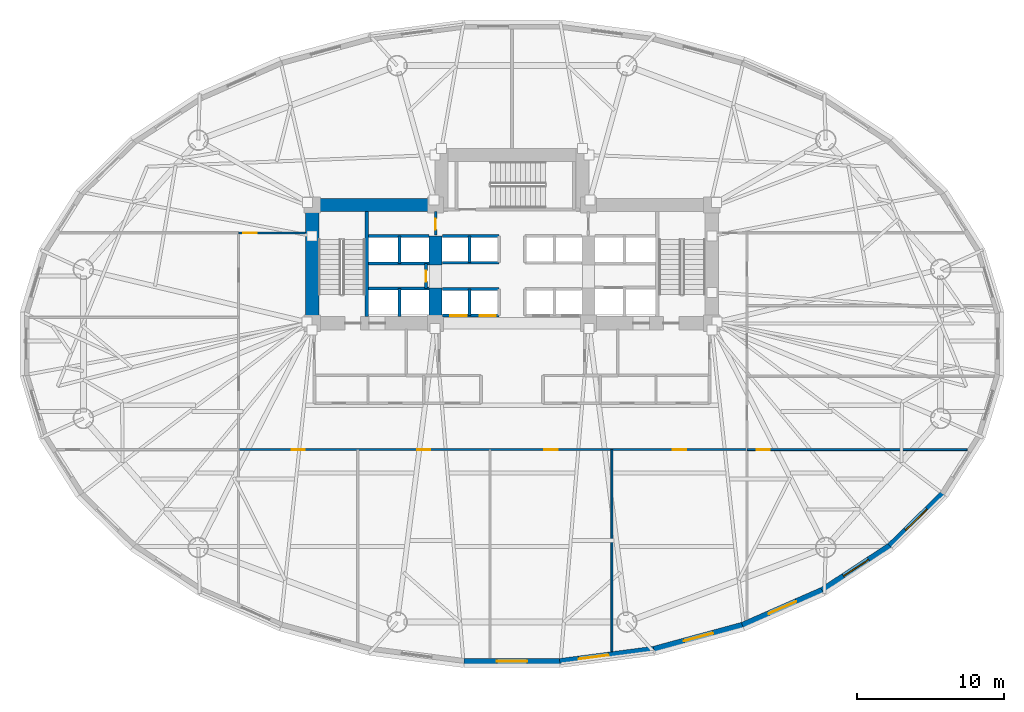
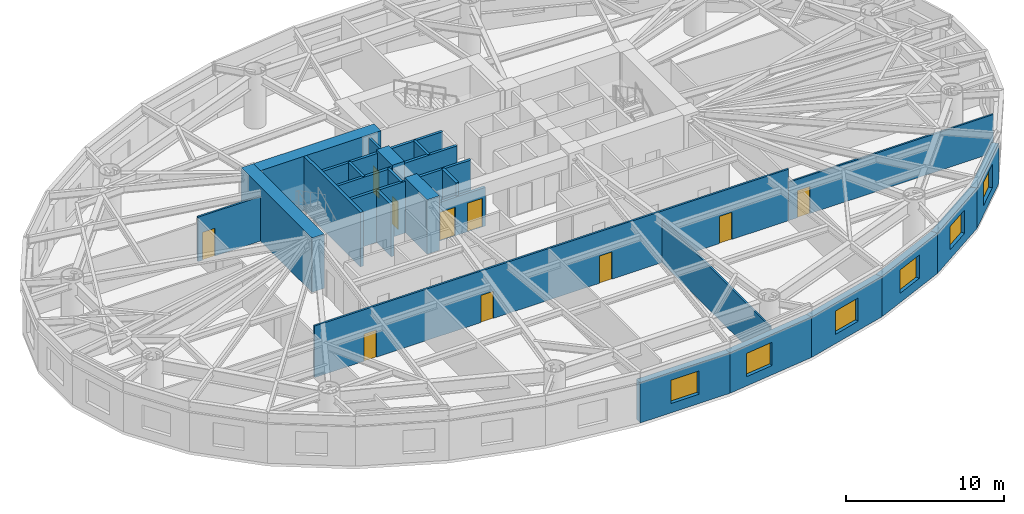
# One storey, part 6 of 14: 28 walls, 10 doors, 6 windows, 16 openings.
"""IFC4 building model written with IfcOpenShell, lengths in metres."""

from ifc_helpers import new_model, si_unit, direction, frame, frame_2d, origin, place, context, subcontext, project, spatial, rectangle, extrude, material, layer, layer_set, type_object, element, fill, save


model = new_model("IFC4")

# Units and contexts
model_context = context("Model", 3, precision=1e-05, world=origin(), true_north=direction((0.0, 1.0)))
body_context = subcontext(model_context, "Body", "Model", "MODEL_VIEW")
ifc_project = project(units=[si_unit("LENGTHUNIT", "METRE"), si_unit("AREAUNIT", "SQUARE_METRE"), si_unit("VOLUMEUNIT", "CUBIC_METRE"), si_unit("PLANEANGLEUNIT", "RADIAN"), si_unit("MASSUNIT", "GRAM", prefix="KILO")], contexts=[model_context])

# Site, building, storey
site_placement = place(None, origin())
site = spatial("IfcSite", under=ifc_project, at=site_placement, CompositionType="ELEMENT")
building_placement = place(site_placement, origin())
building = spatial("IfcBuilding", under=site, at=building_placement, Name="Keldmark Tower", CompositionType="ELEMENT")
storey_placement = place(building_placement, frame((0.0, 0.0, 14.39990234375)))
storey = spatial("IfcBuildingStorey", under=building, at=storey_placement, Name="L03", CompositionType="ELEMENT", Elevation=14.39990234375)

# Wall, openings, doors
ifc_material_1 = material(Name="Acoustic Double-Layer Gypsum Corridor Partition", Category="gypsum")
ifc_layer_1 = layer(ifc_material_1, 0.139892578125)
ifc_layer_set_1 = layer_set([ifc_layer_1], Name="Acoustic Double-Layer Gypsum Corridor Partition")
wall_type_1 = type_object("IfcWallType", Name="Acoustic Corridor Partition 140 mm", PredefinedType="PARTITIONING", material=ifc_layer_set_1)
wall_1_placement = place(storey_placement, frame((-18.60009765625, -7.199951171875, 0.0), z_axis=(0.0, 0.0, 1.0), x_axis=(1.0, 0.0, 0.0)))
wall_1 = element("IfcWall", 1, at=wall_1_placement, inside=storey, type_object=wall_type_1, Name="L03 Acoustic Corridor Partition 140 mm COR-S", PredefinedType="PARTITIONING", context=body_context, shape_type="SweptSolid", body=[
    extrude(rectangle(XDim=34.60009765625, YDim=0.139892578125, at=frame_2d((17.300048828125, 0.0))), origin(), (0.0, 0.0, 1.0), 3.97998046875),
])
opening_1_placement = place(wall_1_placement, frame((3.60009765625, 0.0, 0.0)))
opening_1 = element("IfcOpeningElement", 2, at=opening_1_placement, cuts=wall_1, Name="Opening D-IN090", PredefinedType="OPENING", context=body_context, shape_type="SweptSolid", body=[
    extrude(rectangle(XDim=0.89990234375, YDim=2.10009765625, at=frame_2d((0.449951171875, 1.050048828125))), frame((0.0, 0.079833984375, 0.0), z_axis=(0.0, -1.0, 0.0), x_axis=(1.0, 0.0, 0.0)), (0.0, 0.0, 1.0), 0.159912109375),
])
opening_2_placement = place(wall_1_placement, frame((12.14990234375, 0.0, 0.0)))
opening_2 = element("IfcOpeningElement", 3, at=opening_2_placement, cuts=wall_1, Name="Opening D-IN090", PredefinedType="OPENING", context=body_context, shape_type="SweptSolid", body=[
    extrude(rectangle(XDim=0.89990234375, YDim=2.10009765625, at=frame_2d((0.449951171875, 1.050048828125))), frame((0.0, 0.079833984375, 0.0), z_axis=(0.0, -1.0, 0.0), x_axis=(1.0, 0.0, 0.0)), (0.0, 0.0, 1.0), 0.159912109375),
])
opening_3_placement = place(wall_1_placement, frame((20.800048828125, 0.0, 0.0)))
opening_3 = element("IfcOpeningElement", 4, at=opening_3_placement, cuts=wall_1, Name="Opening D-IN090", PredefinedType="OPENING", context=body_context, shape_type="SweptSolid", body=[
    extrude(rectangle(XDim=0.89990234375, YDim=2.10009765625, at=frame_2d((0.449951171875, 1.050048828125))), frame((0.0, 0.079833984375, 0.0), z_axis=(0.0, -1.0, 0.0), x_axis=(1.0, 0.0, 0.0)), (0.0, 0.0, 1.0), 0.159912109375),
])
opening_4_placement = place(wall_1_placement, frame((29.550048828125, 0.0, 0.0)))
opening_4 = element("IfcOpeningElement", 5, at=opening_4_placement, cuts=wall_1, Name="Opening D-IN090", PredefinedType="OPENING", context=body_context, shape_type="SweptSolid", body=[
    extrude(rectangle(XDim=0.89990234375, YDim=2.10009765625, at=frame_2d((0.449951171875, 1.050048828125))), frame((0.0, 0.079833984375, 0.0), z_axis=(0.0, -1.0, 0.0), x_axis=(1.0, 0.0, 0.0)), (0.0, 0.0, 1.0), 0.159912109375),
])
ifc_material_2 = material(Name="Stained American White Oak Veneer", Category="wood")
door_type_1 = type_object("IfcDoorType", Name="Interior Door 900x2100", OperationType="NOTDEFINED", PredefinedType="DOOR", material=ifc_material_2)
door_1_placement = place(opening_1_placement, origin())
door_1 = element("IfcDoor", 6, at=door_1_placement, inside=storey, type_object=door_type_1, Name="L03 Interior Door 900x2100 D-SR-1-L03", OperationType="SINGLE_SWING_LEFT", OverallHeight=2.10009765625, OverallWidth=0.89990234375, PredefinedType="DOOR", context=body_context, shape_type="SweptSolid", body=[
    extrude(rectangle(XDim=0.89990234375, YDim=2.10009765625, at=frame_2d((0.449951171875, 1.050048828125))), frame((0.0, 0.02490234375, 0.0), z_axis=(0.0, -1.0, 0.0), x_axis=(1.0, 0.0, 0.0)), (0.0, 0.0, 1.0), 0.050048828125),
])
fill(opening_1, door_1)
door_2_placement = place(opening_2_placement, origin())
door_2 = element("IfcDoor", 7, at=door_2_placement, inside=storey, type_object=door_type_1, Name="L03 Interior Door 900x2100 D-SR-2-L03", OperationType="SINGLE_SWING_RIGHT", OverallHeight=2.10009765625, OverallWidth=0.89990234375, PredefinedType="DOOR", context=body_context, shape_type="SweptSolid", body=[
    extrude(rectangle(XDim=0.89990234375, YDim=2.10009765625, at=frame_2d((0.449951171875, 1.050048828125))), frame((0.0, 0.02490234375, 0.0), z_axis=(0.0, -1.0, 0.0), x_axis=(1.0, 0.0, 0.0)), (0.0, 0.0, 1.0), 0.050048828125),
])
fill(opening_2, door_2)
door_3_placement = place(opening_3_placement, origin())
door_3 = element("IfcDoor", 8, at=door_3_placement, inside=storey, type_object=door_type_1, Name="L03 Interior Door 900x2100 D-SR-3-L03", OperationType="SINGLE_SWING_LEFT", OverallHeight=2.10009765625, OverallWidth=0.89990234375, PredefinedType="DOOR", context=body_context, shape_type="SweptSolid", body=[
    extrude(rectangle(XDim=0.89990234375, YDim=2.10009765625, at=frame_2d((0.449951171875, 1.050048828125))), frame((0.0, 0.02490234375, 0.0), z_axis=(0.0, -1.0, 0.0), x_axis=(1.0, 0.0, 0.0)), (0.0, 0.0, 1.0), 0.050048828125),
])
fill(opening_3, door_3)
door_4_placement = place(opening_4_placement, origin())
door_4 = element("IfcDoor", 9, at=door_4_placement, inside=storey, type_object=door_type_1, Name="L03 Interior Door 900x2100 D-SR-4-L03", OperationType="SINGLE_SWING_RIGHT", OverallHeight=2.10009765625, OverallWidth=0.89990234375, PredefinedType="DOOR", context=body_context, shape_type="SweptSolid", body=[
    extrude(rectangle(XDim=0.89990234375, YDim=2.10009765625, at=frame_2d((0.449951171875, 1.050048828125))), frame((0.0, 0.02490234375, 0.0), z_axis=(0.0, -1.0, 0.0), x_axis=(1.0, 0.0, 0.0)), (0.0, 0.0, 1.0), 0.050048828125),
])
fill(opening_4, door_4)

# Wall, opening, door
wall_2_placement = place(storey_placement, frame((-18.60009765625, 7.550048828125, 0.0), z_axis=(0.0, 0.0, 1.0), x_axis=(1.0, 0.0, 0.0)))
wall_2 = element("IfcWall", 10, at=wall_2_placement, inside=storey, type_object=wall_type_1, Name="L03 Acoustic Corridor Partition 140 mm COR-WN-CAP", PredefinedType="PARTITIONING", context=body_context, shape_type="SweptSolid", body=[
    extrude(rectangle(XDim=4.550048828125, YDim=0.139892578125, at=frame_2d((2.27490234375, 0.0))), origin(), (0.0, 0.0, 1.0), 3.43310546875),
])
opening_5_placement = place(wall_2_placement, frame((0.320068359375, 0.0, 0.0)))
opening_5 = element("IfcOpeningElement", 11, at=opening_5_placement, cuts=wall_2, Name="Opening D-EX092", PredefinedType="OPENING", context=body_context, shape_type="SweptSolid", body=[
    extrude(rectangle(XDim=0.919921875, YDim=2.14990234375, at=frame_2d((0.4599609375, 1.074951171875))), frame((0.0, 0.079833984375, 0.0), z_axis=(0.0, -1.0, 0.0), x_axis=(1.0, 0.0, 0.0)), (0.0, 0.0, 1.0), 0.159912109375),
])
ifc_material_3 = material(Name="Flush American Ash Executive Office Door", Category="wood")
door_type_2 = type_object("IfcDoorType", Name="Executive Office Door 920x2150", OperationType="NOTDEFINED", PredefinedType="DOOR", material=ifc_material_3)
door_5_placement = place(opening_5_placement, origin())
door_5 = element("IfcDoor", 12, at=door_5_placement, inside=storey, type_object=door_type_2, Name="L03 Executive Office Door 920x2150 D-NRNW-L03", OperationType="SINGLE_SWING_LEFT", OverallHeight=2.14990234375, OverallWidth=0.919921875, PredefinedType="DOOR", context=body_context, shape_type="SweptSolid", body=[
    extrude(rectangle(XDim=0.919921875, YDim=2.14990234375, at=frame_2d((0.4599609375, 1.074951171875))), frame((0.0, 0.02490234375, 0.0), z_axis=(0.0, -1.0, 0.0), x_axis=(1.0, 0.0, 0.0)), (0.0, 0.0, 1.0), 0.050048828125),
])
fill(opening_5, door_5)

# Wall
ifc_material_4 = material(Name="Acoustic Gypsum Board Interior Partition", Category="gypsum")
ifc_layer_2 = layer(ifc_material_4, 0.1298828125)
ifc_layer_set_2 = layer_set([ifc_layer_2], Name="Acoustic Gypsum Board Interior Partition")
wall_type_2 = type_object("IfcWallType", Name="Interior Partition 130 mm", PredefinedType="PARTITIONING", material=ifc_layer_set_2)
wall_3_placement = place(storey_placement, frame((6.800048828125, -20.942626953125, 0.0), z_axis=(0.0, 0.0, 1.0), x_axis=(0.0, 1.0, 0.0)))
element("IfcWall", 13, at=wall_3_placement, inside=storey, type_object=wall_type_2, Name="L03 Interior Partition 130 mm S-DIV-3", PredefinedType="PARTITIONING", context=body_context, shape_type="SweptSolid", body=[
    extrude(rectangle(XDim=13.74267578125, YDim=0.1298828125, at=frame_2d((6.871337890625, 0.0))), origin(), (0.0, 0.0, 1.0), 3.34814453125),
])

# Wall, opening, door
wall_4_placement = place(storey_placement, frame((16.0, -7.199951171875, 0.0), z_axis=(0.0, 0.0, 1.0), x_axis=(1.0, 0.0, 0.0)))
wall_4 = element("IfcWall", 14, at=wall_4_placement, inside=storey, type_object=wall_type_2, Name="L03 Interior Partition 130 mm E-CAP-S", PredefinedType="PARTITIONING", context=body_context, shape_type="SweptSolid", body=[
    extrude(rectangle(XDim=14.96728515625, YDim=0.1298828125, at=frame_2d((7.483642578125, 0.0))), origin(), (0.0, 0.0, 1.0), 2.9580078125),
])
opening_6_placement = place(wall_4_placement, frame((0.64990234375, 0.0, 0.0)))
opening_6 = element("IfcOpeningElement", 15, at=opening_6_placement, cuts=wall_4, Name="Opening D-IN090", PredefinedType="OPENING", context=body_context, shape_type="SweptSolid", body=[
    extrude(rectangle(XDim=0.89990234375, YDim=2.10009765625, at=frame_2d((0.449951171875, 1.050048828125))), frame((0.0, 0.074951171875, 0.0), z_axis=(0.0, -1.0, 0.0), x_axis=(1.0, 0.0, 0.0)), (0.0, 0.0, 1.0), 0.14990234375),
])
door_6_placement = place(opening_6_placement, origin())
door_6 = element("IfcDoor", 16, at=door_6_placement, inside=storey, type_object=door_type_1, Name="L03 Interior Door 900x2100 D-ERSE-L03", OperationType="SINGLE_SWING_RIGHT", OverallHeight=2.10009765625, OverallWidth=0.89990234375, PredefinedType="DOOR", context=body_context, shape_type="SweptSolid", body=[
    extrude(rectangle(XDim=0.89990234375, YDim=2.10009765625, at=frame_2d((0.449951171875, 1.050048828125))), frame((0.0, 0.02490234375, 0.0), z_axis=(0.0, -1.0, 0.0), x_axis=(1.0, 0.0, 0.0)), (0.0, 0.0, 1.0), 0.050048828125),
])
fill(opening_6, door_6)

# Walls
ifc_material_5 = material(Name="Concrete C70/85", Category="concrete")
ifc_layer_3 = layer(ifc_material_5, 0.89990234375)
ifc_layer_set_3 = layer_set([ifc_layer_3], Name="Concrete C70/85")
wall_type_3 = type_object("IfcWallType", Name="Lower Core Shear Wall 900 mm", PredefinedType="SHEAR", material=ifc_layer_set_3)
wall_5_placement = place(storey_placement, frame((-13.60009765625, 0.949951171875, 0.0), z_axis=(0.0, 0.0, 1.0), x_axis=(0.0, 1.0, 0.0)))
element("IfcWall", 17, at=wall_5_placement, inside=storey, type_object=wall_type_3, Name="L03 West Core Outer Shear Wall", PredefinedType="SHEAR", context=body_context, shape_type="SweptSolid", body=[
    extrude(rectangle(XDim=8.949951171875, YDim=0.89990234375, at=frame_2d((4.47509765625, 0.0))), origin(), (0.0, 0.0, 1.0), 4.2001953125),
])
wall_6_placement = place(storey_placement, frame((-14.050048828125, 9.449951171875, 0.0), z_axis=(0.0, 0.0, 1.0), x_axis=(1.0, 0.0, 0.0)))
element("IfcWall", 18, at=wall_6_placement, inside=storey, type_object=wall_type_3, Name="L03 West Core North Shear Wall", PredefinedType="SHEAR", context=body_context, shape_type="SweptSolid", body=[
    extrude(rectangle(XDim=9.699951171875, YDim=0.89990234375, at=frame_2d((4.85009765625, 0.0))), origin(), (0.0, 0.0, 1.0), 4.2001953125),
])
wall_7_placement = place(storey_placement, frame((-5.199951171875, 0.949951171875, 0.0), z_axis=(0.0, 0.0, 1.0), x_axis=(0.0, 1.0, 0.0)))
element("IfcWall", 19, at=wall_7_placement, inside=storey, type_object=wall_type_3, Name="L03 West Core Inner Shear Pier South", PredefinedType="SHEAR", context=body_context, shape_type="SweptSolid", body=[
    extrude(rectangle(XDim=2.85009765625, YDim=0.89990234375, at=frame_2d((1.425048828125, 0.0))), origin(), (0.0, 0.0, 1.0), 4.2001953125),
])
wall_8_placement = place(storey_placement, frame((-5.199951171875, 5.35009765625, 0.0), z_axis=(0.0, 0.0, 1.0), x_axis=(0.0, 1.0, 0.0)))
element("IfcWall", 20, at=wall_8_placement, inside=storey, type_object=wall_type_3, Name="L03 West Core Inner Shear Pier North", PredefinedType="SHEAR", context=body_context, shape_type="SweptSolid", body=[
    extrude(rectangle(XDim=2.0, YDim=0.89990234375, at=frame_2d((1.0, 0.0))), origin(), (0.0, 0.0, 1.0), 4.2001953125),
])

# Wall, opening, window
ifc_material_6 = material(Name="Ironspot Manganese Brick and Kasota Buff Limestone Cavity Assembly", Category="masonry")
ifc_layer_4 = layer(ifc_material_6, 0.47998046875)
ifc_layer_set_4 = layer_set([ifc_layer_4], Name="Ironspot Manganese Brick and Kasota Buff Limestone Cavity Assembly")
wall_type_4 = type_object("IfcWallType", Name="Podium Brick and Limestone Cavity Wall 480 mm", PredefinedType="STANDARD", material=ifc_layer_set_4)
wall_9_placement = place(storey_placement, frame((3.28369140625, -21.654052734375, 0.0), z_axis=(0.0, 0.0, 1.0), x_axis=(-1.0, 0.0, 0.0)))
wall_9 = element("IfcWall", 21, at=wall_9_placement, inside=storey, type_object=wall_type_4, Name="L03 Exterior Brick and Spandrel Wall 24", PredefinedType="STANDARD", context=body_context, shape_type="SweptSolid", body=[
    extrude(rectangle(XDim=6.5673828125, YDim=0.47998046875, at=frame_2d((3.28369140625, 0.0))), origin(), (0.0, 0.0, 1.0), 3.109130859375),
])
opening_7_placement = place(wall_9_placement, frame((2.258544921875, 0.0, 0.719970703125)))
opening_7 = element("IfcOpeningElement", 22, at=opening_7_placement, cuts=wall_9, Name="Opening W-07", PredefinedType="OPENING", context=body_context, shape_type="SweptSolid", body=[
    extrude(rectangle(XDim=2.050048828125, YDim=1.800048828125, at=frame_2d((1.02490234375, 0.89990234375))), frame((0.0, 0.25, 0.0), z_axis=(0.0, -1.0, 0.0), x_axis=(1.0, 0.0, 0.0)), (0.0, 0.0, 1.0), 0.5),
])
ifc_material_7 = material(Name="Thermally Broken Anodized Aluminum and Triple Low-E Argon Glazing", Category="aluminium")
window_type = type_object("IfcWindowType", Name="Podium Mezzanine Punched Window 2050x1800", PartitioningType="DOUBLE_PANEL_VERTICAL", PredefinedType="WINDOW", material=ifc_material_7)
window_1_placement = place(opening_7_placement, origin())
window_1 = element("IfcWindow", 23, at=window_1_placement, inside=storey, type_object=window_type, Name="L03 Deep-Set Window 24", OverallHeight=1.800048828125, OverallWidth=2.050048828125, PartitioningType="SINGLE_PANEL", PredefinedType="WINDOW", context=body_context, shape_type="SweptSolid", body=[
    extrude(rectangle(XDim=2.050048828125, YDim=1.800048828125, at=frame_2d((1.02490234375, 0.89990234375))), frame((0.0, -0.010009765625, 0.0), z_axis=(0.0, -1.0, 0.0), x_axis=(1.0, 0.0, 0.0)), (0.0, 0.0, 1.0), 0.06005859375),
])
fill(opening_7, window_1)

wall_10_placement = place(storey_placement, frame((9.693359375, -20.814697265625, 0.0), z_axis=(0.0, 0.0, 1.0), x_axis=(-0.991576921472, -0.129519144545, 0.0)))
wall_10 = element("IfcWall", 24, at=wall_10_placement, inside=storey, type_object=wall_type_4, Name="L03 Exterior Brick and Spandrel Wall 25", PredefinedType="STANDARD", context=body_context, shape_type="SweptSolid", body=[
    extrude(rectangle(XDim=6.49560546875, YDim=0.47998046875, at=frame_2d((3.247802734375, 0.0))), origin(), (0.0, 0.0, 1.0), 3.109130859375),
])
opening_8_placement = place(wall_10_placement, frame((3.146728515625, 0.0, 0.719970703125)))
opening_8 = element("IfcOpeningElement", 25, at=opening_8_placement, cuts=wall_10, Name="Opening W-07", PredefinedType="OPENING", context=body_context, shape_type="SweptSolid", body=[
    extrude(rectangle(XDim=2.050048828125, YDim=1.800048828125, at=frame_2d((1.02490234375, 0.89990234375))), frame((0.0, 0.25, 0.0), z_axis=(0.0, -1.0, 0.0), x_axis=(1.0, 0.0, 0.0)), (0.0, 0.0, 1.0), 0.5),
])
window_2_placement = place(opening_8_placement, origin())
window_2 = element("IfcWindow", 26, at=window_2_placement, inside=storey, type_object=window_type, Name="L03 Deep-Set Window 25", OverallHeight=1.800048828125, OverallWidth=2.050048828125, PartitioningType="SINGLE_PANEL", PredefinedType="WINDOW", context=body_context, shape_type="SweptSolid", body=[
    extrude(rectangle(XDim=2.050048828125, YDim=1.800048828125, at=frame_2d((1.02490234375, 0.89990234375))), frame((0.0, -0.010009765625, 0.0), z_axis=(0.0, -1.0, 0.0), x_axis=(1.0, 0.0, 0.0)), (0.0, 0.0, 1.0), 0.06005859375),
])
fill(opening_8, window_2)

wall_11_placement = place(storey_placement, frame((15.728759765625, -19.170654296875, 0.0), z_axis=(0.0, 0.0, 1.0), x_axis=(-0.964936550718, -0.262483243445, 0.0)))
wall_11 = element("IfcWall", 27, at=wall_11_placement, inside=storey, type_object=wall_type_4, Name="L03 Exterior Brick and Spandrel Wall 26", PredefinedType="STANDARD", context=body_context, shape_type="SweptSolid", body=[
    extrude(rectangle(XDim=6.28759765625, YDim=0.47998046875, at=frame_2d((3.143798828125, 0.0))), origin(), (0.0, 0.0, 1.0), 3.109130859375),
])
opening_9_placement = place(wall_11_placement, frame((2.118896484375, 0.0, 0.719970703125)))
opening_9 = element("IfcOpeningElement", 28, at=opening_9_placement, cuts=wall_11, Name="Opening W-07", PredefinedType="OPENING", context=body_context, shape_type="SweptSolid", body=[
    extrude(rectangle(XDim=2.050048828125, YDim=1.800048828125, at=frame_2d((1.02490234375, 0.89990234375))), frame((0.0, 0.25, 0.0), z_axis=(0.0, -1.0, 0.0), x_axis=(1.0, 0.0, 0.0)), (0.0, 0.0, 1.0), 0.5),
])
window_3_placement = place(opening_9_placement, origin())
window_3 = element("IfcWindow", 29, at=window_3_placement, inside=storey, type_object=window_type, Name="L03 Deep-Set Window 26", OverallHeight=1.800048828125, OverallWidth=2.050048828125, PartitioningType="SINGLE_PANEL", PredefinedType="WINDOW", context=body_context, shape_type="SweptSolid", body=[
    extrude(rectangle(XDim=2.050048828125, YDim=1.800048828125, at=frame_2d((1.02490234375, 0.89990234375))), frame((0.0, -0.010009765625, 0.0), z_axis=(0.0, -1.0, 0.0), x_axis=(1.0, 0.0, 0.0)), (0.0, 0.0, 1.0), 0.06005859375),
])
fill(opening_9, window_3)

wall_12_placement = place(storey_placement, frame((21.15576171875, -16.786376953125, 0.0), z_axis=(0.0, 0.0, 1.0), x_axis=(-0.91570760638, -0.401845218484, 0.0)))
wall_12 = element("IfcWall", 30, at=wall_12_placement, inside=storey, type_object=wall_type_4, Name="L03 Exterior Brick and Spandrel Wall 27", PredefinedType="STANDARD", context=body_context, shape_type="SweptSolid", body=[
    extrude(rectangle(XDim=5.963134765625, YDim=0.47998046875, at=frame_2d((2.9814453125, 0.0))), origin(), (0.0, 0.0, 1.0), 3.109130859375),
])
opening_10_placement = place(wall_12_placement, frame((1.95654296875, 0.0, 0.719970703125)))
opening_10 = element("IfcOpeningElement", 31, at=opening_10_placement, cuts=wall_12, Name="Opening W-07", PredefinedType="OPENING", context=body_context, shape_type="SweptSolid", body=[
    extrude(rectangle(XDim=2.050048828125, YDim=1.800048828125, at=frame_2d((1.02490234375, 0.89990234375))), frame((0.0, 0.25, 0.0), z_axis=(0.0, -1.0, 0.0), x_axis=(1.0, 0.0, 0.0)), (0.0, 0.0, 1.0), 0.5),
])
window_4_placement = place(opening_10_placement, origin())
window_4 = element("IfcWindow", 32, at=window_4_placement, inside=storey, type_object=window_type, Name="L03 Deep-Set Window 27", OverallHeight=1.800048828125, OverallWidth=2.050048828125, PartitioningType="SINGLE_PANEL", PredefinedType="WINDOW", context=body_context, shape_type="SweptSolid", body=[
    extrude(rectangle(XDim=2.050048828125, YDim=1.800048828125, at=frame_2d((1.02490234375, 0.89990234375))), frame((0.0, -0.010009765625, 0.0), z_axis=(0.0, -1.0, 0.0), x_axis=(1.0, 0.0, 0.0)), (0.0, 0.0, 1.0), 0.06005859375),
])
fill(opening_10, window_4)

wall_13_placement = place(storey_placement, frame((25.76416015625, -13.756103515625, 0.0), z_axis=(0.0, 0.0, 1.0), x_axis=(-0.835863918172, -0.548936708827, 0.0)))
wall_13 = element("IfcWall", 33, at=wall_13_placement, inside=storey, type_object=wall_type_4, Name="L03 Exterior Brick and Spandrel Wall 28", PredefinedType="STANDARD", context=body_context, shape_type="SweptSolid", body=[
    extrude(rectangle(XDim=5.555419921875, YDim=0.47998046875, at=frame_2d((2.77783203125, 0.0))), origin(), (0.0, 0.0, 1.0), 3.109130859375),
])
opening_11_placement = place(wall_13_placement, frame((1.752685546875, 0.0, 0.719970703125)))
opening_11 = element("IfcOpeningElement", 34, at=opening_11_placement, cuts=wall_13, Name="Opening W-07", PredefinedType="OPENING", context=body_context, shape_type="SweptSolid", body=[
    extrude(rectangle(XDim=2.050048828125, YDim=1.800048828125, at=frame_2d((1.02490234375, 0.89990234375))), frame((0.0, 0.25, 0.0), z_axis=(0.0, -1.0, 0.0), x_axis=(1.0, 0.0, 0.0)), (0.0, 0.0, 1.0), 0.5),
])
window_5_placement = place(opening_11_placement, origin())
window_5 = element("IfcWindow", 35, at=window_5_placement, inside=storey, type_object=window_type, Name="L03 Deep-Set Window 28", OverallHeight=1.800048828125, OverallWidth=2.050048828125, PartitioningType="SINGLE_PANEL", PredefinedType="WINDOW", context=body_context, shape_type="SweptSolid", body=[
    extrude(rectangle(XDim=2.050048828125, YDim=1.800048828125, at=frame_2d((1.02490234375, 0.89990234375))), frame((0.0, -0.010009765625, 0.0), z_axis=(0.0, -1.0, 0.0), x_axis=(1.0, 0.0, 0.0)), (0.0, 0.0, 1.0), 0.06005859375),
])
fill(opening_11, window_5)

wall_14_placement = place(storey_placement, frame((29.376220703125, -10.199462890625, 0.0), z_axis=(0.0, 0.0, 1.0), x_axis=(-0.713189080178, -0.700971708355, 0.0)))
wall_14 = element("IfcWall", 36, at=wall_14_placement, inside=storey, type_object=wall_type_4, Name="L03 Exterior Brick and Spandrel Wall 29", PredefinedType="STANDARD", context=body_context, shape_type="SweptSolid", body=[
    extrude(rectangle(XDim=5.11572265625, YDim=0.47998046875, at=frame_2d((2.557861328125, 0.0))), origin(), (0.0, 0.0, 1.0), 3.109130859375),
])
opening_12_placement = place(wall_14_placement, frame((1.532958984375, 0.0, 0.719970703125)))
opening_12 = element("IfcOpeningElement", 37, at=opening_12_placement, cuts=wall_14, Name="Opening W-07", PredefinedType="OPENING", context=body_context, shape_type="SweptSolid", body=[
    extrude(rectangle(XDim=2.050048828125, YDim=1.800048828125, at=frame_2d((1.02490234375, 0.89990234375))), frame((0.0, 0.25, 0.0), z_axis=(0.0, -1.0, 0.0), x_axis=(1.0, 0.0, 0.0)), (0.0, 0.0, 1.0), 0.5),
])
window_6_placement = place(opening_12_placement, origin())
window_6 = element("IfcWindow", 38, at=window_6_placement, inside=storey, type_object=window_type, Name="L03 Deep-Set Window 29", OverallHeight=1.800048828125, OverallWidth=2.050048828125, PartitioningType="SINGLE_PANEL", PredefinedType="WINDOW", context=body_context, shape_type="SweptSolid", body=[
    extrude(rectangle(XDim=2.050048828125, YDim=1.800048828125, at=frame_2d((1.02490234375, 0.89990234375))), frame((0.0, -0.010009765625, 0.0), z_axis=(0.0, -1.0, 0.0), x_axis=(1.0, 0.0, 0.0)), (0.0, 0.0, 1.0), 0.06005859375),
])
fill(opening_12, window_6)

# Wall, opening, door
ifc_material_8 = material(Name="Type X Fire-Rated Gypsum Partition Assembly", Category="gypsum")
ifc_layer_5 = layer(ifc_material_8, 0.1650390625)
ifc_layer_set_5 = layer_set([ifc_layer_5], Name="Type X Fire-Rated Gypsum Partition Assembly")
wall_type_5 = type_object("IfcWallType", Name="Rated Partition 165 mm", PredefinedType="PARTITIONING", material=ifc_layer_set_5)
wall_15_placement = place(storey_placement, frame((-5.199951171875, 7.419921875, 0.0), z_axis=(0.0, 0.0, 1.0), x_axis=(0.0, 1.0, 0.0)))
wall_15 = element("IfcWall", 39, at=wall_15_placement, inside=storey, type_object=wall_type_5, Name="L03 Rated Partition 165 mm CS-NW-E", PredefinedType="PARTITIONING", context=body_context, shape_type="SweptSolid", body=[
    extrude(rectangle(XDim=1.580078125, YDim=0.1650390625, at=frame_2d((0.7900390625, 0.0))), origin(), (0.0, 0.0, 1.0), 3.97998046875),
])
opening_13_placement = place(wall_15_placement, frame((0.35009765625, 0.0, 0.0)))
opening_13 = element("IfcOpeningElement", 40, at=opening_13_placement, cuts=wall_15, Name="Opening D-RS075", PredefinedType="OPENING", context=body_context, shape_type="SweptSolid", body=[
    extrude(rectangle(XDim=0.75, YDim=2.10009765625, at=frame_2d((0.375, 1.050048828125))), frame((0.0, 0.092529296875, 0.0), z_axis=(0.0, -1.0, 0.0), x_axis=(1.0, 0.0, 0.0)), (0.0, 0.0, 1.0), 0.18505859375),
])
ifc_material_9 = material(Name="Galvanized Fire-Rated Access Leaf", Category="metal")
door_type_3 = type_object("IfcDoorType", Name="Riser Access Door 750x2100", OperationType="NOTDEFINED", PredefinedType="DOOR", material=ifc_material_9)
door_7_placement = place(opening_13_placement, origin())
door_7 = element("IfcDoor", 41, at=door_7_placement, inside=storey, type_object=door_type_3, Name="L03 Riser Access Door 750x2100 D-CSNW1-L03", OperationType="SINGLE_SWING_LEFT", OverallHeight=2.10009765625, OverallWidth=0.75, PredefinedType="DOOR", context=body_context, shape_type="SweptSolid", body=[
    extrude(rectangle(XDim=0.75, YDim=2.10009765625, at=frame_2d((0.375, 1.050048828125))), frame((0.0, 0.02490234375, 0.0), z_axis=(0.0, -1.0, 0.0), x_axis=(1.0, 0.0, 0.0)), (0.0, 0.0, 1.0), 0.050048828125),
])
fill(opening_13, door_7)

# Walls
ifc_material_10 = material(Name="Fire-Resistant Type X Gypsum Shaftliner Coreboard", Category="gypsum")
ifc_layer_6 = layer(ifc_material_10, 0.199951171875)
ifc_layer_set_6 = layer_set([ifc_layer_6], Name="Fire-Resistant Type X Gypsum Shaftliner Coreboard")
wall_type_6 = type_object("IfcWallType", Name="Shaft Wall 200 mm", PredefinedType="SOLIDWALL", material=ifc_layer_set_6)
wall_16_placement = place(storey_placement, frame((-9.780029296875, 3.780029296875, 0.0), z_axis=(0.0, 0.0, 1.0), x_axis=(1.0, 0.0, 0.0)))
element("IfcWall", 42, at=wall_16_placement, inside=storey, type_object=wall_type_6, Name="L03 Shaft Wall 200 mm HW-W-S", PredefinedType="SOLIDWALL", context=body_context, shape_type="SweptSolid", body=[
    extrude(rectangle(XDim=4.130126953125, YDim=0.199951171875, at=frame_2d((2.06494140625, 0.0))), origin(), (0.0, 0.0, 1.0), 3.97998046875),
])
wall_17_placement = place(storey_placement, frame((-7.64990234375, 1.85009765625, 0.0), z_axis=(0.0, 0.0, 1.0), x_axis=(0.0, 1.0, 0.0)))
element("IfcWall", 43, at=wall_17_placement, inside=storey, type_object=wall_type_6, Name="L03 Shaft Wall 200 mm HW-W-M", PredefinedType="SOLIDWALL", context=body_context, shape_type="SweptSolid", body=[
    extrude(rectangle(XDim=1.929931640625, YDim=0.199951171875, at=frame_2d((0.96484375, 0.0))), origin(), (0.0, 0.0, 1.0), 3.97998046875),
])
for number, where, z_axis, x_axis, name in (
    (44, (-9.780029296875, 5.469970703125, 0.0), (0.0, 0.0, 1.0), (1.0, 0.0, 0.0), "L03 Shaft Wall 200 mm HW-W-N"),
    (45, (-9.780029296875, 7.330078125, 0.0), (0.0, 0.0, 1.0), (1.0, 0.0, 0.0), "L03 Shaft Wall 200 mm HW-W-TOP"),
):
    element("IfcWall", number, at=place(storey_placement, frame(where, z_axis=z_axis, x_axis=x_axis)), inside=storey, type_object=wall_type_6, Name=name, PredefinedType="SOLIDWALL", context=body_context, shape_type="SweptSolid", body=[
        extrude(rectangle(XDim=4.130126953125, YDim=0.199951171875, at=frame_2d((2.06494140625, 0.0))), origin(), (0.0, 0.0, 1.0), 3.97998046875),
    ])
wall_18_placement = place(storey_placement, frame((-7.64990234375, 5.469970703125, 0.0), z_axis=(0.0, 0.0, 1.0), x_axis=(0.0, 1.0, 0.0)))
element("IfcWall", 46, at=wall_18_placement, inside=storey, type_object=wall_type_6, Name="L03 Shaft Wall 200 mm HW-W-NM", PredefinedType="SOLIDWALL", context=body_context, shape_type="SweptSolid", body=[
    extrude(rectangle(XDim=1.860107421875, YDim=0.199951171875, at=frame_2d((0.93017578125, 0.0))), origin(), (0.0, 0.0, 1.0), 3.97998046875),
])

# Wall, opening, door
wall_19_placement = place(storey_placement, frame((-5.85009765625, 3.780029296875, 0.0), z_axis=(0.0, 0.0, 1.0), x_axis=(0.0, 1.0, 0.0)))
wall_19 = element("IfcWall", 47, at=wall_19_placement, inside=storey, type_object=wall_type_6, Name="L03 Shaft Wall 200 mm HW-W-CLOSE", PredefinedType="SOLIDWALL", context=body_context, shape_type="SweptSolid", body=[
    extrude(rectangle(XDim=1.68994140625, YDim=0.199951171875, at=frame_2d((0.844970703125, 0.0))), origin(), (0.0, 0.0, 1.0), 3.97998046875),
])
opening_14_placement = place(wall_19_placement, frame((0.449951171875, 0.0, 0.0)))
opening_14 = element("IfcOpeningElement", 48, at=opening_14_placement, cuts=wall_19, Name="Opening D-RS075", PredefinedType="OPENING", context=body_context, shape_type="SweptSolid", body=[
    extrude(rectangle(XDim=0.75, YDim=2.10009765625, at=frame_2d((0.375, 1.050048828125))), frame((0.0, 0.10986328125, 0.0), z_axis=(0.0, -1.0, 0.0), x_axis=(1.0, 0.0, 0.0)), (0.0, 0.0, 1.0), 0.219970703125),
])
door_8_placement = place(opening_14_placement, origin())
door_8 = element("IfcDoor", 49, at=door_8_placement, inside=storey, type_object=door_type_3, Name="L03 Riser Access Door 750x2100 D-RISHW-L03", OperationType="SINGLE_SWING_RIGHT", OverallHeight=2.10009765625, OverallWidth=0.75, PredefinedType="DOOR", context=body_context, shape_type="SweptSolid", body=[
    extrude(rectangle(XDim=0.75, YDim=2.10009765625, at=frame_2d((0.375, 1.050048828125))), frame((0.0, 0.02490234375, 0.0), z_axis=(0.0, -1.0, 0.0), x_axis=(1.0, 0.0, 0.0)), (0.0, 0.0, 1.0), 0.050048828125),
])
fill(opening_14, door_8)

# Wall, openings, doors
wall_20_placement = place(storey_placement, frame((-4.739990234375, 1.919921875, 0.0), z_axis=(0.0, 0.0, 1.0), x_axis=(1.0, 0.0, 0.0)))
wall_20 = element("IfcWall", 50, at=wall_20_placement, inside=storey, type_object=wall_type_6, Name="L03 Shaft Wall 200 mm LOW-S-W", PredefinedType="SOLIDWALL", context=body_context, shape_type="SweptSolid", body=[
    extrude(rectangle(XDim=3.860107421875, YDim=0.199951171875, at=frame_2d((1.93017578125, 0.0))), origin(), (0.0, 0.0, 1.0), 2.97021484375),
])
opening_15_placement = place(wall_20_placement, frame((0.550048828125, 0.0, 0.0)))
opening_15 = element("IfcOpeningElement", 51, at=opening_15_placement, cuts=wall_20, Name="Opening LD-110", PredefinedType="OPENING", context=body_context, shape_type="SweptSolid", body=[
    extrude(rectangle(XDim=1.10009765625, YDim=2.199951171875, at=frame_2d((0.550048828125, 1.10009765625))), frame((0.0, 0.10986328125, 0.0), z_axis=(0.0, -1.0, 0.0), x_axis=(1.0, 0.0, 0.0)), (0.0, 0.0, 1.0), 0.219970703125),
])
opening_16_placement = place(wall_20_placement, frame((2.550048828125, 0.0, 0.0)))
opening_16 = element("IfcOpeningElement", 52, at=opening_16_placement, cuts=wall_20, Name="Opening LD-110", PredefinedType="OPENING", context=body_context, shape_type="SweptSolid", body=[
    extrude(rectangle(XDim=1.10009765625, YDim=2.199951171875, at=frame_2d((0.550048828125, 1.10009765625))), frame((0.0, 0.10986328125, 0.0), z_axis=(0.0, -1.0, 0.0), x_axis=(1.0, 0.0, 0.0)), (0.0, 0.0, 1.0), 0.219970703125),
])
ifc_material_11 = material(Name="Brushed Bronze Hoistway Sliding Leaf", Category="metal")
door_type_4 = type_object("IfcDoorType", Name="Lift Landing Sliding Door 1100x2200", OperationType="SLIDING_TO_LEFT", PredefinedType="DOOR", material=ifc_material_11)
door_9_placement = place(opening_15_placement, origin())
door_9 = element("IfcDoor", 53, at=door_9_placement, inside=storey, type_object=door_type_4, Name="L03 Lift Landing Sliding Door 1100x2200 LD-EL-L1-L03", OperationType="SLIDING_TO_LEFT", OverallHeight=2.199951171875, OverallWidth=1.10009765625, PredefinedType="DOOR", context=body_context, shape_type="SweptSolid", body=[
    extrude(rectangle(XDim=1.10009765625, YDim=2.199951171875, at=frame_2d((0.550048828125, 1.10009765625))), frame((0.0, 0.02490234375, 0.0), z_axis=(0.0, -1.0, 0.0), x_axis=(1.0, 0.0, 0.0)), (0.0, 0.0, 1.0), 0.050048828125),
])
fill(opening_15, door_9)
door_10_placement = place(opening_16_placement, origin())
door_10 = element("IfcDoor", 54, at=door_10_placement, inside=storey, type_object=door_type_4, Name="L03 Lift Landing Sliding Door 1100x2200 LD-EL-L2-L03", OperationType="SLIDING_TO_LEFT", OverallHeight=2.199951171875, OverallWidth=1.10009765625, PredefinedType="DOOR", context=body_context, shape_type="SweptSolid", body=[
    extrude(rectangle(XDim=1.10009765625, YDim=2.199951171875, at=frame_2d((0.550048828125, 1.10009765625))), frame((0.0, 0.02490234375, 0.0), z_axis=(0.0, -1.0, 0.0), x_axis=(1.0, 0.0, 0.0)), (0.0, 0.0, 1.0), 0.050048828125),
])
fill(opening_16, door_10)

# Walls
wall_21_placement = place(storey_placement, frame((-4.739990234375, 3.739990234375, 0.0), z_axis=(0.0, 0.0, 1.0), x_axis=(1.0, 0.0, 0.0)))
element("IfcWall", 55, at=wall_21_placement, inside=storey, type_object=wall_type_6, Name="L03 Shaft Wall 200 mm LOW-N-W", PredefinedType="SOLIDWALL", context=body_context, shape_type="SweptSolid", body=[
    extrude(rectangle(XDim=3.860107421875, YDim=0.199951171875, at=frame_2d((1.93017578125, 0.0))), origin(), (0.0, 0.0, 1.0), 3.97998046875),
])
wall_22_placement = place(storey_placement, frame((-2.8798828125, 1.919921875, 0.0), z_axis=(0.0, 0.0, 1.0), x_axis=(0.0, 1.0, 0.0)))
element("IfcWall", 56, at=wall_22_placement, inside=storey, type_object=wall_type_6, Name="L03 Shaft Wall 200 mm LOW-M-W", PredefinedType="SOLIDWALL", context=body_context, shape_type="SweptSolid", body=[
    extrude(rectangle(XDim=1.820068359375, YDim=0.199951171875, at=frame_2d((0.91015625, 0.0))), origin(), (0.0, 0.0, 1.0), 3.97998046875),
])
for number, where, z_axis, x_axis, name in (
    (57, (-4.739990234375, 5.52001953125, 0.0), (0.0, 0.0, 1.0), (1.0, 0.0, 0.0), "L03 Shaft Wall 200 mm MID-S-W"),
    (58, (-4.739990234375, 7.330078125, 0.0), (0.0, 0.0, 1.0), (1.0, 0.0, 0.0), "L03 Shaft Wall 200 mm MID-N-W"),
):
    element("IfcWall", number, at=place(storey_placement, frame(where, z_axis=z_axis, x_axis=x_axis)), inside=storey, type_object=wall_type_6, Name=name, PredefinedType="SOLIDWALL", context=body_context, shape_type="SweptSolid", body=[
        extrude(rectangle(XDim=3.860107421875, YDim=0.199951171875, at=frame_2d((1.93017578125, 0.0))), origin(), (0.0, 0.0, 1.0), 3.97998046875),
    ])
wall_23_placement = place(storey_placement, frame((-2.8798828125, 5.52001953125, 0.0), z_axis=(0.0, 0.0, 1.0), x_axis=(0.0, 1.0, 0.0)))
element("IfcWall", 59, at=wall_23_placement, inside=storey, type_object=wall_type_6, Name="L03 Shaft Wall 200 mm MID-M-W", PredefinedType="SOLIDWALL", context=body_context, shape_type="SweptSolid", body=[
    extrude(rectangle(XDim=1.81005859375, YDim=0.199951171875, at=frame_2d((0.905029296875, 0.0))), origin(), (0.0, 0.0, 1.0), 3.97998046875),
])
ifc_material_12 = material(Name="Concrete C50/60", Category="concrete")
ifc_layer_7 = layer(ifc_material_12, 0.219970703125)
ifc_layer_set_7 = layer_set([ifc_layer_7], Name="Concrete C50/60")
wall_type_7 = type_object("IfcWallType", Name="Stair Core Shear Wall 220 mm", PredefinedType="SHEAR", material=ifc_layer_set_7)
wall_24_placement = place(storey_placement, frame((-9.889892578125, 1.85009765625, 0.0), z_axis=(0.0, 0.0, 1.0), x_axis=(0.0, 1.0, 0.0)))
element("IfcWall", 60, at=wall_24_placement, inside=storey, type_object=wall_type_7, Name="L03 West Stair Core Shear Wall", PredefinedType="SHEAR", context=body_context, shape_type="SweptSolid", body=[
    extrude(rectangle(XDim=7.14990234375, YDim=0.219970703125, at=frame_2d((3.574951171875, 0.0))), origin(), (0.0, 0.0, 1.0), 4.2001953125),
])

save(model, "model.ifc")
